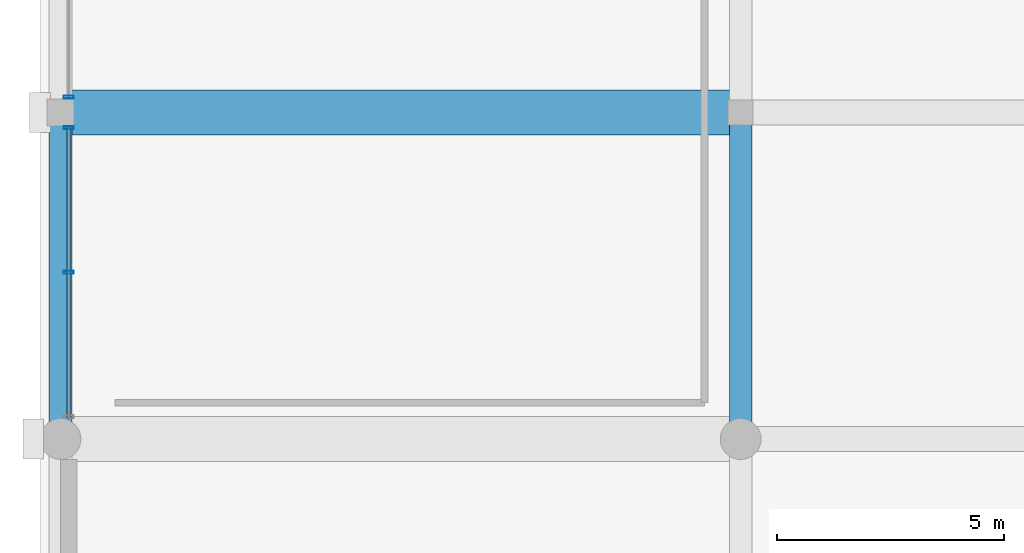
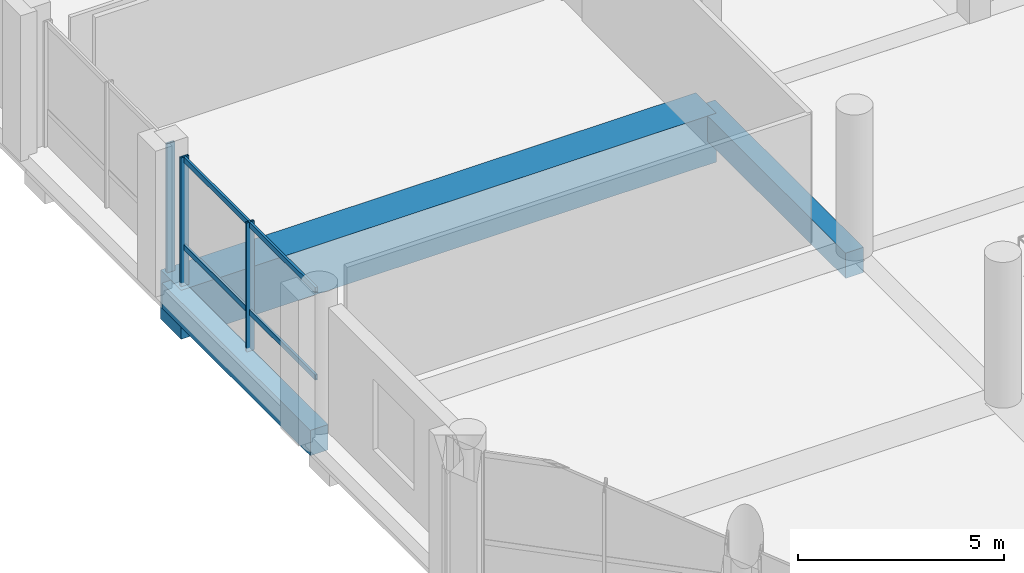
# One storey, part 13 of 68: 5 members, 3 beams, 2 elements without a shape of their own.
"""IFC4 building model written with IfcOpenShell, lengths in metres."""

from ifc_helpers import new_model, si_unit, direction, frame, origin, origin_2d, place, context, subcontext, project, spatial, rectangle, hollow_rectangle, extrude, material, material_profile, profile_set, type_object, element, aggregate, save


model = new_model("IFC4")

# Units and contexts
model_context = context("Model", 3, precision=1e-05, world=origin(), true_north=direction((0.0, 1.0)))
body_context = subcontext(model_context, "Body", "Model", "MODEL_VIEW")
ifc_project = project(units=[si_unit("LENGTHUNIT", "METRE"), si_unit("AREAUNIT", "SQUARE_METRE"), si_unit("VOLUMEUNIT", "CUBIC_METRE"), si_unit("PLANEANGLEUNIT", "RADIAN"), si_unit("MASSUNIT", "GRAM", prefix="KILO")], contexts=[model_context])

# Site, building, storey
site_placement = place(None, origin())
site = spatial("IfcSite", under=ifc_project, at=site_placement, CompositionType="ELEMENT")
building_placement = place(site_placement, origin())
building = spatial("IfcBuilding", under=site, at=building_placement, Name="Akrevak Sports Hall", CompositionType="ELEMENT")
storey_placement = place(building_placement, frame((0.0, 0.0, 9.39990234375)))
storey = spatial("IfcBuildingStorey", under=building, at=storey_placement, Name="L02", CompositionType="ELEMENT", Elevation=9.39990234375)

# Curtain wall, members
ifc_material_1 = material(Name="Anodized Bronze Aluminium & Low-E Glass", Category="aluminium")
curtain_wall_type = type_object("IfcCurtainWallType", Name="ARC-CW-POD-64x42", PredefinedType="NOTDEFINED", material=ifc_material_1)
curtain_wall_1_placement = place(storey_placement, origin())
curtain_wall_1 = element("IfcCurtainWall", 1, at=curtain_wall_1_placement, inside=storey, type_object=curtain_wall_type, Name="Curtain Wall CW-L02-W02", PredefinedType="NOTDEFINED")
ifc_material_2 = material(Name="Anodized Bronze Aluminium", Category="aluminium")
ifc_material_profile_1 = material_profile(ifc_material_2, hollow_rectangle(XDim=0.06494140625, YDim=0.219970703125, WallThickness=0.00439453125, at=origin_2d()), Name="CWM 65x220", Category="aluminium")
ifc_profile_set_1 = profile_set([ifc_material_profile_1], Name="Anodized Bronze Aluminium")
member_type_1 = type_object("IfcMemberType", Name="ARC-CWM-70x160", PredefinedType="MULLION", material=ifc_profile_set_1)
member_1_placement = place(storey_placement, frame((0.179931640625, 28.4599609375, 0.0), z_axis=(0.0, 0.0, 1.0), x_axis=(0.0, -1.0, 0.0)))
member_1 = element("IfcMember", 2, at=member_1_placement, type_object=member_type_1, Name="Curtain Wall Mullion CW-L02-W02-M1", PredefinedType="MULLION", context=body_context, shape_type="SweptSolid", body=[
    extrude(hollow_rectangle(XDim=0.06494140625, YDim=0.219970703125, WallThickness=0.00439453125, at=origin_2d()), origin(), (0.0, 0.0, 1.0), 3.820068359375),
])
member_2_placement = place(storey_placement, frame((0.179931640625, 25.27490234375, 0.0), z_axis=(0.0, 0.0, 1.0), x_axis=(0.0, -1.0, 0.0)))
member_2 = element("IfcMember", 3, at=member_2_placement, type_object=member_type_1, Name="Curtain Wall Mullion CW-L02-W02-M2", PredefinedType="MULLION", context=body_context, shape_type="SweptSolid", body=[
    extrude(hollow_rectangle(XDim=0.06494140625, YDim=0.219970703125, WallThickness=0.00439453125, at=origin_2d()), origin(), (0.0, 0.0, 1.0), 3.820068359375),
])

# Curtain wall, member
curtain_wall_2_placement = place(storey_placement, origin())
curtain_wall_2 = element("IfcCurtainWall", 4, at=curtain_wall_2_placement, inside=storey, type_object=curtain_wall_type, Name="Curtain Wall CW-L02-W03", PredefinedType="NOTDEFINED")
member_3_placement = place(storey_placement, frame((0.179931640625, 29.139892578125, 0.0), z_axis=(0.0, 0.0, 1.0), x_axis=(0.0, -1.0, 0.0)))
member_3 = element("IfcMember", 5, at=member_3_placement, type_object=member_type_1, Name="Curtain Wall Mullion CW-L02-W03-M3", PredefinedType="MULLION", context=body_context, shape_type="SweptSolid", body=[
    extrude(hollow_rectangle(XDim=0.06494140625, YDim=0.219970703125, WallThickness=0.00439453125, at=origin_2d()), origin(), (0.0, 0.0, 1.0), 3.820068359375),
])
aggregate(curtain_wall_2, [member_3])

# Member
ifc_material_profile_2 = material_profile(ifc_material_2, hollow_rectangle(XDim=0.06494140625, YDim=0.159912109375, WallThickness=0.00390625, at=origin_2d()), Name="CWT 65x160", Category="aluminium")
ifc_profile_set_2 = profile_set([ifc_material_profile_2], Name="Anodized Bronze Aluminium")
member_type_2 = type_object("IfcMemberType", Name="ARC-CWT-70x130", PredefinedType="USERDEFINED", material=ifc_profile_set_2)
member_4_placement = place(storey_placement, frame((0.179931640625, 28.5, 1.150146484375), z_axis=(0.0, -1.0, 0.0), x_axis=(1.0, 0.0, 0.0)))
member_4 = element("IfcMember", 6, at=member_4_placement, type_object=member_type_2, Name="Curtain Wall Transom CW-L02-W02-T1", ObjectType="TRANSOM", PredefinedType="USERDEFINED", context=body_context, shape_type="SweptSolid", body=[
    extrude(hollow_rectangle(XDim=0.06494140625, YDim=0.159912109375, WallThickness=0.00390625, at=origin_2d()), origin(), (0.0, 0.0, 1.0), 6.449951171875),
])

member_5_placement = place(storey_placement, frame((0.179931640625, 28.5, 3.739990234375), z_axis=(0.0, -1.0, 0.0), x_axis=(1.0, 0.0, 0.0)))
member_5 = element("IfcMember", 7, at=member_5_placement, type_object=member_type_2, Name="Curtain Wall Transom CW-L02-W02-T2", ObjectType="TRANSOM", PredefinedType="USERDEFINED", context=body_context, shape_type="SweptSolid", body=[
    extrude(hollow_rectangle(XDim=0.06494140625, YDim=0.159912109375, WallThickness=0.00390625, at=origin_2d()), origin(), (0.0, 0.0, 1.0), 6.449951171875),
])

aggregate(curtain_wall_1, [member_1, member_2, member_4, member_5])

# Beams
ifc_material_3 = material(Name="Concrete C50/60", Category="concrete")
ifc_material_profile_3 = material_profile(ifc_material_3, rectangle(XDim=1.0, YDim=1.449951171875, at=origin_2d()), Name="BM 1000x1450", Category="concrete")
ifc_profile_set_3 = profile_set([ifc_material_profile_3], Name="Concrete C50/60")
beam_type_1 = type_object("IfcBeamType", Name="STR-BM-LG1000x1450", PredefinedType="BEAM", material=ifc_profile_set_3)
beam_placement = place(storey_placement, frame((0.0, 28.800048828125, -0.724853515625), z_axis=(1.0, 0.0, 0.0), x_axis=(0.0, 1.0, 0.0)))
element("IfcBeam", 8, at=beam_placement, inside=storey, type_object=beam_type_1, Name="Girder E/1-3 (L02)", PredefinedType="BEAM", context=body_context, shape_type="SweptSolid", body=[
    extrude(rectangle(XDim=1.0, YDim=1.449951171875, at=origin_2d()), origin(), (0.0, 0.0, 1.0), 15.0),
])
ifc_material_4 = material(Name="Concrete C40/50", Category="concrete")
ifc_material_profile_4 = material_profile(ifc_material_4, rectangle(XDim=0.5, YDim=0.75, at=origin_2d()), Name="BM 500x750", Category="concrete")
ifc_profile_set_4 = profile_set([ifc_material_profile_4], Name="Concrete C40/50")
beam_type_2 = type_object("IfcBeamType", Name="STR-BM-RC500x750", PredefinedType="BEAM", material=ifc_profile_set_4)
for number, where, z_axis, x_axis, name in (
    (9, (0.0, 21.60009765625, -0.375), (0.0, 1.0, 0.0), (-1.0, 0.0, 0.0), "Girder 1/D-E (L02)"),
    (10, (15.0, 21.60009765625, -0.375), (0.0, 1.0, 0.0), (-1.0, 0.0, 0.0), "Girder 3/D-E (L02)"),
):
    element("IfcBeam", number, at=place(storey_placement, frame(where, z_axis=z_axis, x_axis=x_axis)), inside=storey, type_object=beam_type_2, Name=name, PredefinedType="BEAM", context=body_context, shape_type="SweptSolid", body=[
        extrude(rectangle(XDim=0.5, YDim=0.75, at=origin_2d()), origin(), (0.0, 0.0, 1.0), 7.199951171875),
    ])

save(model, "model.ifc")
